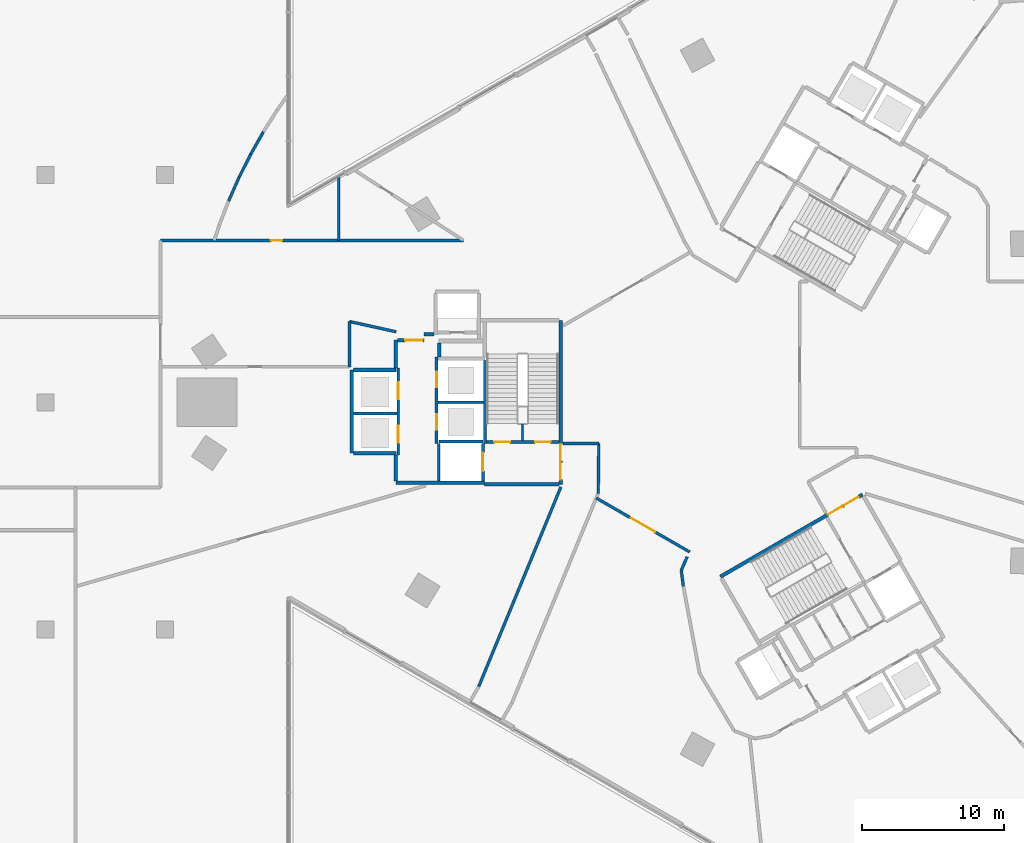
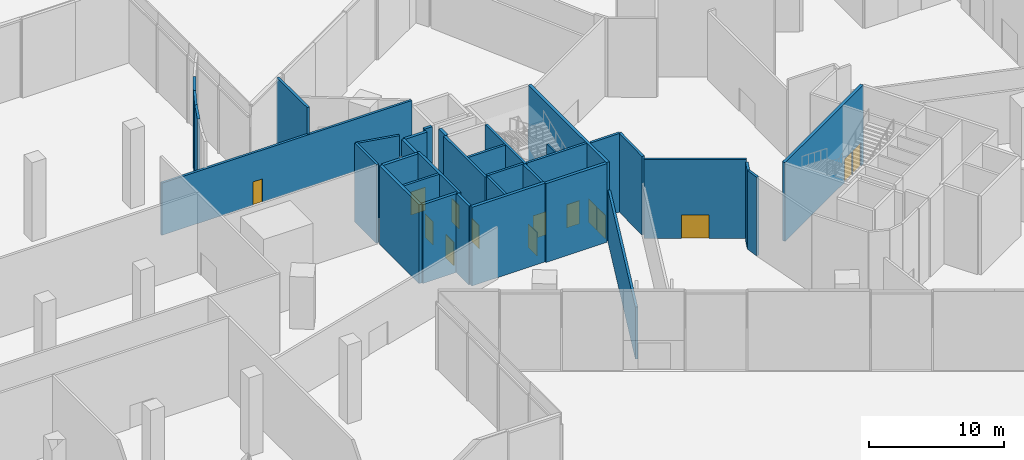
# One storey, part 18 of 41: 35 walls, 14 doors, 14 openings.
"""IFC4 building model written with IfcOpenShell, lengths in metres."""

import ifcopenshell
import ifcopenshell.guid

model = None  # the IFC model being written
_history = None  # IfcOwnerHistory: only IFC2X3 demands one
_inside = {}  # id of a spatial element -> (the spatial element, [elements in it])
_under = {}  # id of a project, library or spatial element -> (it, [spatial elements below it])
_declared = {}  # id of a project -> (the project, [libraries it declares])
_typed = {}  # id of a type object -> (the type object, [elements of that type])
_made_of = {}  # id of a material, layer set ... -> (it, [elements and type objects made of it])


def new_model(schema):
    """Start an empty IFC model of exactly this schema.

    Asked for "IFC4X3", IfcOpenShell would pick the latest addendum, in which some entities
    have other attributes; the version numbers below select the first issue.
    IFC2X3 requires an IfcOwnerHistory on every rooted entity: one is made here for all.
    """
    global model, _history
    if schema == "IFC4X3":
        model = ifcopenshell.file(schema_version=(4, 3, 0, 0))
    else:
        model = ifcopenshell.file(schema=schema)
    _inside.clear()
    _under.clear()
    _declared.clear()
    _typed.clear()
    _made_of.clear()
    _history = None
    if model.schema == "IFC2X3":
        org = make("IfcOrganization", Name="unknown")
        user = make(
            "IfcPersonAndOrganization",
            ThePerson=make("IfcPerson", FamilyName="unknown"),
            TheOrganization=org,
        )
        app = make(
            "IfcApplication",
            ApplicationDeveloper=org,
            Version="unknown",
            ApplicationFullName="unknown",
            ApplicationIdentifier="unknown",
        )
        _history = make(
            "IfcOwnerHistory",
            OwningUser=user,
            OwningApplication=app,
            ChangeAction="ADDED",
            CreationDate=0,
        )
    return model


def make(cls, **values):
    """One entity of the class cls with the attributes given. An attribute that is None is left unset."""
    return model.create_entity(
        cls, **{name: value for name, value in values.items() if value is not None}
    )


def rooted(cls, **values):
    """An entity with a GlobalId (a new one), such as an element, a storey or a relation."""
    return make(cls, GlobalId=ifcopenshell.guid.new(), OwnerHistory=_history, **values)


def si_unit(unit_type, name, prefix=None):
    """IfcSIUnit, for example si_unit("LENGTHUNIT", "METRE", prefix="MILLI")."""
    return make("IfcSIUnit", UnitType=unit_type, Prefix=prefix, Name=name)


def assignment(units):
    """IfcUnitAssignment: the units of a project."""
    return None if units is None else make("IfcUnitAssignment", Units=units)


def point(xyz):
    """IfcCartesianPoint."""
    return None if xyz is None else make("IfcCartesianPoint", Coordinates=xyz)


def direction(xyz):
    """IfcDirection."""
    return None if xyz is None else make("IfcDirection", DirectionRatios=xyz)


def frame(location, z_axis=None, x_axis=None):
    """IfcAxis2Placement3D, a coordinate frame: its origin and axes. An axis left out is left unset."""
    return make(
        "IfcAxis2Placement3D",
        Location=point(location),
        Axis=direction(z_axis),
        RefDirection=direction(x_axis),
    )


def frame_2d(location, x_axis=None):
    """IfcAxis2Placement2D, a coordinate frame in the plane: its origin and x axis."""
    return make(
        "IfcAxis2Placement2D", Location=point(location), RefDirection=direction(x_axis)
    )


def origin():
    """The frame at (0, 0, 0) with its axes left unset."""
    return frame((0.0, 0.0, 0.0))


def place(relative_to, where):
    """IfcLocalPlacement: puts the frame where relative to a parent placement (None: the world)."""
    return make(
        "IfcLocalPlacement", PlacementRelTo=relative_to, RelativePlacement=where
    )


def context(
    kind, dimensions, precision=None, world=None, true_north=None, identifier=None
):
    """IfcGeometricRepresentationContext, for example the 3D "Model" context."""
    return make(
        "IfcGeometricRepresentationContext",
        ContextIdentifier=identifier,
        ContextType=kind,
        CoordinateSpaceDimension=dimensions,
        Precision=precision,
        WorldCoordinateSystem=world,
        TrueNorth=true_north,
    )


def subcontext(parent, identifier, kind, view, scale=None):
    """IfcGeometricRepresentationSubContext, for example "Body" below "Model"."""
    return make(
        "IfcGeometricRepresentationSubContext",
        ContextIdentifier=identifier,
        ContextType=kind,
        ParentContext=parent,
        TargetScale=scale,
        TargetView=view,
    )


def project(units=None, contexts=None):
    """IfcProject with its units and contexts."""
    return rooted(
        "IfcProject",
        Name="project",
        RepresentationContexts=contexts,
        UnitsInContext=assignment(units),
    )


def spatial(cls, under=None, at=None, **own):
    """A site, building, storey or space (cls), placed at a placement, below another one or the project."""
    s = rooted(cls, ObjectPlacement=at, **own)
    if under is not None:
        _under.setdefault(under.id(), (under, []))[1].append(s)
    return s


def profile(cls, at=None, kind="AREA", **sizes):
    """A parametric profile (cls). Its sizes go by their IFC names, for example OverallWidth=200.0."""
    return make(cls, ProfileType=kind, Position=at, **sizes)


def rectangle(**sizes):
    """IfcRectangleProfileDef."""
    return profile("IfcRectangleProfileDef", **sizes)


def extrude(swept, where, along, depth):
    """IfcExtrudedAreaSolid: the profile swept, set in the frame where, extruded along a direction by depth."""
    return make(
        "IfcExtrudedAreaSolid",
        SweptArea=swept,
        Position=where,
        ExtrudedDirection=direction(along),
        Depth=depth,
    )


def shape(context_of_items, identifier, shape_type, items):
    """IfcShapeRepresentation: the items that make up one representation, for example the "Body"."""
    return make(
        "IfcShapeRepresentation",
        ContextOfItems=context_of_items,
        RepresentationIdentifier=identifier,
        RepresentationType=shape_type,
        Items=items,
    )


def material(Name=None, Category=None):
    """IfcMaterial."""
    return make("IfcMaterial", Name=Name, Category=Category)


def layer(
    of_material, thickness, ventilated=None, Name=None, Category=None, Priority=None
):
    """IfcMaterialLayer: one layer of a wall or slab, of a material (None: an air gap)."""
    return make(
        "IfcMaterialLayer",
        Material=of_material,
        LayerThickness=thickness,
        IsVentilated=ventilated,
        Name=Name,
        Category=Category,
        Priority=Priority,
    )


def layer_set(layers, Name=None):
    """IfcMaterialLayerSet."""
    return make("IfcMaterialLayerSet", MaterialLayers=layers, LayerSetName=Name)


def made_of(thing, what):
    """Note that an element or type object is made of a material, layer set ...; save() writes the relation."""
    if what is not None:
        _made_of.setdefault(what.id(), (what, []))[1].append(thing)
    return thing


def type_object(cls, material=None, **own):
    """A type object (cls), such as IfcWallType, which elements share."""
    return made_of(rooted(cls, **own), material)


def element(
    cls,
    number,
    at=None,
    inside=None,
    cuts=None,
    type_object=None,
    material=None,
    context=None,
    identifier="Body",
    shape_type=None,
    held_by="IfcProductDefinitionShape",
    body=None,
    shapes=None,
    **own,
):
    """One element of the class cls, such as IfcWall. Its Tag is "e" and its number.

    at: its placement. inside: the storey or other place that contains it. cuts: it is an
    opening in that element (IfcRelVoidsElement). A single representation is given by context,
    identifier, shape_type and body (its items); several are given by shapes. held_by: the class
    of the entity that holds the representations. save() writes the other relations.
    """
    e = rooted(cls, Tag="e%d" % number, ObjectPlacement=at, **own)
    if body is not None:
        shapes = [shape(context, identifier, shape_type, body)]
    if shapes is not None:
        e.Representation = make(held_by, Representations=shapes)
    if inside is not None:
        _inside.setdefault(inside.id(), (inside, []))[1].append(e)
    if cuts is not None:
        rooted(
            "IfcRelVoidsElement", RelatingBuildingElement=cuts, RelatedOpeningElement=e
        )
    if type_object is not None:
        _typed.setdefault(type_object.id(), (type_object, []))[1].append(e)
    return made_of(e, material)


def fill(opening, filler):
    """IfcRelFillsElement: the door or window that sits in an opening."""
    return rooted(
        "IfcRelFillsElement",
        RelatingOpeningElement=opening,
        RelatedBuildingElement=filler,
    )


def aggregate(whole, parts):
    """IfcRelAggregates: a whole, such as a stair, and the parts it consists of."""
    return rooted("IfcRelAggregates", RelatingObject=whole, RelatedObjects=parts)


def save(model, path):
    """Write the relations noted so far, then the file.

    IfcRelAggregates (storeys below a building ...), IfcRelContainedInSpatialStructure (elements
    in a storey), IfcRelDefinesByType, IfcRelAssociatesMaterial and IfcRelDeclares: one each for
    every whole, place, type object, material and project.
    """
    for whole, parts in _under.values():
        aggregate(whole, parts)
    for where, things in _inside.values():
        rooted(
            "IfcRelContainedInSpatialStructure",
            RelatedElements=things,
            RelatingStructure=where,
        )
    for kind, things in _typed.values():
        rooted("IfcRelDefinesByType", RelatedObjects=things, RelatingType=kind)
    for what, things in _made_of.values():
        rooted("IfcRelAssociatesMaterial", RelatedObjects=things, RelatingMaterial=what)
    for by, libraries in _declared.values():
        rooted("IfcRelDeclares", RelatingContext=by, RelatedDefinitions=libraries)
    model.write(path)


model = new_model("IFC4")

# Units and contexts
model_context = context("Model", 3, precision=1e-05, world=origin(), true_north=direction((0.0, 1.0)))
body_context = subcontext(model_context, "Body", "Model", "MODEL_VIEW")
ifc_project = project(units=[si_unit("LENGTHUNIT", "METRE"), si_unit("AREAUNIT", "SQUARE_METRE"), si_unit("VOLUMEUNIT", "CUBIC_METRE"), si_unit("PLANEANGLEUNIT", "RADIAN"), si_unit("MASSUNIT", "GRAM", prefix="KILO")], contexts=[model_context])

# Site, building, storey
site_placement = place(None, origin())
site = spatial("IfcSite", under=ifc_project, at=site_placement, CompositionType="ELEMENT")
building_placement = place(site_placement, origin())
building = spatial("IfcBuilding", under=site, at=building_placement, Name="Tamra Quay Hotel Tower", CompositionType="ELEMENT")
storey_placement = place(building_placement, origin())
storey = spatial("IfcBuildingStorey", under=building, at=storey_placement, Name="L00", CompositionType="ELEMENT", Elevation=0.0)

# Wall
ifc_material_1 = material(Name="Concrete M70", Category="concrete")
ifc_layer_1 = layer(ifc_material_1, 0.199951171875)
ifc_layer_set_1 = layer_set([ifc_layer_1], Name="Concrete M70 core wall 200")
wall_type_1 = type_object("IfcWallType", Name="Concrete M70 core wall 200", PredefinedType="SHEAR", material=ifc_layer_set_1)
wall_1_placement = place(storey_placement, frame((-16.162109375, 2.95068359375, 0.0), z_axis=(0.0, 0.0, 1.0), x_axis=(0.0, -1.0, 0.0)))
element("IfcWall", 1, at=wall_1_placement, inside=storey, type_object=wall_type_1, Name="CW2", PredefinedType="SHEAR", context=body_context, shape_type="SweptSolid", body=[
    extrude(rectangle(XDim=5.850830078125, YDim=0.199951171875, at=frame_2d((2.92529296875, 0.0))), origin(), (0.0, 0.0, 1.0), 7.10009765625),
])

# Wall, openings, doors
wall_2_placement = place(storey_placement, frame((-19.5625, -2.900146484375, 0.0), z_axis=(0.0, 0.0, 1.0), x_axis=(0.0, 1.0, 0.0)))
wall_2 = element("IfcWall", 2, at=wall_2_placement, inside=storey, type_object=wall_type_1, Name="CW2", PredefinedType="SHEAR", context=body_context, shape_type="SweptSolid", body=[
    extrude(rectangle(XDim=6.100341796875, YDim=0.199951171875, at=frame_2d((3.05029296875, 0.0))), origin(), (0.0, 0.0, 1.0), 7.10009765625),
])
opening_1_placement = place(wall_2_placement, frame((3.9501953125, 0.0, 0.0)))
opening_1 = element("IfcOpeningElement", 3, at=opening_1_placement, cuts=wall_2, Name="Opening LD", PredefinedType="OPENING", context=body_context, shape_type="SweptSolid", body=[
    extrude(rectangle(XDim=1.10009765625, YDim=2.10009765625, at=frame_2d((0.550048828125, 1.050048828125))), frame((0.0, 0.10986328125, 0.0), z_axis=(0.0, -1.0, 0.0), x_axis=(1.0, 0.0, 0.0)), (0.0, 0.0, 1.0), 0.219970703125),
])
opening_2_placement = place(wall_2_placement, frame((0.968017578125, 0.0, 0.0)))
opening_2 = element("IfcOpeningElement", 4, at=opening_2_placement, cuts=wall_2, Name="Opening LD", PredefinedType="OPENING", context=body_context, shape_type="SweptSolid", body=[
    extrude(rectangle(XDim=1.10009765625, YDim=2.10009765625, at=frame_2d((0.550048828125, 1.050048828125))), frame((0.0, 0.10986328125, 0.0), z_axis=(0.0, -1.0, 0.0), x_axis=(1.0, 0.0, 0.0)), (0.0, 0.0, 1.0), 0.219970703125),
])
ifc_material_2 = material(Name="Landing door LD 1100 double door sliding")
door_type_1 = type_object("IfcDoorType", Name="Landing door LD 1100 double door sliding", OperationType="DOUBLE_DOOR_SLIDING", PredefinedType="DOOR", material=ifc_material_2)
door_1_placement = place(opening_1_placement, origin())
door_1 = element("IfcDoor", 5, at=door_1_placement, inside=storey, type_object=door_type_1, Name="LD", OperationType="DOUBLE_DOOR_SLIDING", OverallHeight=2.10009765625, OverallWidth=1.10009765625, PredefinedType="DOOR", context=body_context, shape_type="SweptSolid", body=[
    extrude(rectangle(XDim=1.10009765625, YDim=2.10009765625, at=frame_2d((0.550048828125, 1.050048828125))), frame((0.0, 0.02490234375, 0.0), z_axis=(0.0, -1.0, 0.0), x_axis=(1.0, 0.0, 0.0)), (0.0, 0.0, 1.0), 0.050048828125),
])
fill(opening_1, door_1)
door_2_placement = place(opening_2_placement, origin())
door_2 = element("IfcDoor", 6, at=door_2_placement, inside=storey, type_object=door_type_1, Name="LD", OperationType="DOUBLE_DOOR_SLIDING", OverallHeight=2.10009765625, OverallWidth=1.10009765625, PredefinedType="DOOR", context=body_context, shape_type="SweptSolid", body=[
    extrude(rectangle(XDim=1.10009765625, YDim=2.10009765625, at=frame_2d((0.550048828125, 1.050048828125))), frame((0.0, 0.02490234375, 0.0), z_axis=(0.0, -1.0, 0.0), x_axis=(1.0, 0.0, 0.0)), (0.0, 0.0, 1.0), 0.050048828125),
])
fill(opening_2, door_2)

wall_3_placement = place(storey_placement, frame((-22.26220703125, 2.400146484375, 0.0), z_axis=(0.0, 0.0, 1.0), x_axis=(0.0, -1.0, 0.0)))
wall_3 = element("IfcWall", 7, at=wall_3_placement, inside=storey, type_object=wall_type_1, Name="CW2", PredefinedType="SHEAR", context=body_context, shape_type="SweptSolid", body=[
    extrude(rectangle(XDim=6.100341796875, YDim=0.199951171875, at=frame_2d((3.05029296875, 0.0))), origin(), (0.0, 0.0, 1.0), 7.10009765625),
])
opening_3_placement = place(wall_3_placement, frame((1.0, 0.0, 0.0)))
opening_3 = element("IfcOpeningElement", 8, at=opening_3_placement, cuts=wall_3, Name="Opening LD", PredefinedType="OPENING", context=body_context, shape_type="SweptSolid", body=[
    extrude(rectangle(XDim=1.199951171875, YDim=2.10009765625, at=frame_2d((0.60009765625, 1.050048828125))), frame((0.0, 0.10986328125, 0.0), z_axis=(0.0, -1.0, 0.0), x_axis=(1.0, 0.0, 0.0)), (0.0, 0.0, 1.0), 0.219970703125),
])
opening_4_placement = place(wall_3_placement, frame((4.05029296875, 0.0, 0.0)))
opening_4 = element("IfcOpeningElement", 9, at=opening_4_placement, cuts=wall_3, Name="Opening LD", PredefinedType="OPENING", context=body_context, shape_type="SweptSolid", body=[
    extrude(rectangle(XDim=1.199951171875, YDim=2.10009765625, at=frame_2d((0.60009765625, 1.050048828125))), frame((0.0, 0.10986328125, 0.0), z_axis=(0.0, -1.0, 0.0), x_axis=(1.0, 0.0, 0.0)), (0.0, 0.0, 1.0), 0.219970703125),
])
ifc_material_3 = material(Name="Landing door LD 1200 double door sliding")
door_type_2 = type_object("IfcDoorType", Name="Landing door LD 1200 double door sliding", OperationType="DOUBLE_DOOR_SLIDING", PredefinedType="DOOR", material=ifc_material_3)
door_3_placement = place(opening_3_placement, origin())
door_3 = element("IfcDoor", 10, at=door_3_placement, inside=storey, type_object=door_type_2, Name="LD", OperationType="DOUBLE_DOOR_SLIDING", OverallHeight=2.10009765625, OverallWidth=1.199951171875, PredefinedType="DOOR", context=body_context, shape_type="SweptSolid", body=[
    extrude(rectangle(XDim=1.199951171875, YDim=2.10009765625, at=frame_2d((0.60009765625, 1.050048828125))), frame((0.0, 0.02490234375, 0.0), z_axis=(0.0, -1.0, 0.0), x_axis=(1.0, 0.0, 0.0)), (0.0, 0.0, 1.0), 0.050048828125),
])
fill(opening_3, door_3)
door_4_placement = place(opening_4_placement, origin())
door_4 = element("IfcDoor", 11, at=door_4_placement, inside=storey, type_object=door_type_2, Name="LD", OperationType="DOUBLE_DOOR_SLIDING", OverallHeight=2.10009765625, OverallWidth=1.199951171875, PredefinedType="DOOR", context=body_context, shape_type="SweptSolid", body=[
    extrude(rectangle(XDim=1.199951171875, YDim=2.10009765625, at=frame_2d((0.60009765625, 1.050048828125))), frame((0.0, 0.02490234375, 0.0), z_axis=(0.0, -1.0, 0.0), x_axis=(1.0, 0.0, 0.0)), (0.0, 0.0, 1.0), 0.050048828125),
])
fill(opening_4, door_4)

wall_4_placement = place(storey_placement, frame((-10.96337890625, -2.800048828125, 0.0), z_axis=(0.0, 0.0, 1.0), x_axis=(-1.0, 0.0, 0.0)))
wall_4 = element("IfcWall", 12, at=wall_4_placement, inside=storey, type_object=wall_type_1, Name="CW2", PredefinedType="SHEAR", context=body_context, shape_type="SweptSolid", body=[
    extrude(rectangle(XDim=5.097900390625, YDim=0.199951171875, at=frame_2d((2.548828125, 0.0))), origin(), (0.0, 0.0, 1.0), 7.10009765625),
])
opening_5_placement = place(wall_4_placement, frame((0.569091796875, 0.0, 0.0)))
opening_5 = element("IfcOpeningElement", 13, at=opening_5_placement, cuts=wall_4, Name="Opening FD2", PredefinedType="OPENING", context=body_context, shape_type="SweptSolid", body=[
    extrude(rectangle(XDim=1.10009765625, YDim=2.10009765625, at=frame_2d((0.550048828125, 1.050048828125))), frame((0.0, 0.10986328125, 0.0), z_axis=(0.0, -1.0, 0.0), x_axis=(1.0, 0.0, 0.0)), (0.0, 0.0, 1.0), 0.219970703125),
])
opening_6_placement = place(wall_4_placement, frame((3.427978515625, 0.0, 0.0)))
opening_6 = element("IfcOpeningElement", 14, at=opening_6_placement, cuts=wall_4, Name="Opening FD2", PredefinedType="OPENING", context=body_context, shape_type="SweptSolid", body=[
    extrude(rectangle(XDim=1.10009765625, YDim=2.10009765625, at=frame_2d((0.550048828125, 1.050048828125))), frame((0.0, 0.10986328125, 0.0), z_axis=(0.0, -1.0, 0.0), x_axis=(1.0, 0.0, 0.0)), (0.0, 0.0, 1.0), 0.219970703125),
])
ifc_material_4 = material(Name="Core door FD2 1100x2100 LH")
door_type_3 = type_object("IfcDoorType", Name="Core door FD2 1100x2100 LH", OperationType="NOTDEFINED", PredefinedType="DOOR", material=ifc_material_4)
door_5_placement = place(opening_5_placement, origin())
door_5 = element("IfcDoor", 15, at=door_5_placement, inside=storey, type_object=door_type_3, Name="FD2", OperationType="SINGLE_SWING_LEFT", OverallHeight=2.10009765625, OverallWidth=1.10009765625, PredefinedType="DOOR", context=body_context, shape_type="SweptSolid", body=[
    extrude(rectangle(XDim=1.10009765625, YDim=2.10009765625, at=frame_2d((0.550048828125, 1.050048828125))), frame((0.0, 0.02490234375, 0.0), z_axis=(0.0, -1.0, 0.0), x_axis=(1.0, 0.0, 0.0)), (0.0, 0.0, 1.0), 0.050048828125),
])
fill(opening_5, door_5)
ifc_material_5 = material(Name="Core door FD2 1100x2100 RH")
door_type_4 = type_object("IfcDoorType", Name="Core door FD2 1100x2100 RH", OperationType="NOTDEFINED", PredefinedType="DOOR", material=ifc_material_5)
door_6_placement = place(opening_6_placement, origin())
door_6 = element("IfcDoor", 16, at=door_6_placement, inside=storey, type_object=door_type_4, Name="FD2", OperationType="SINGLE_SWING_RIGHT", OverallHeight=2.10009765625, OverallWidth=1.10009765625, PredefinedType="DOOR", context=body_context, shape_type="SweptSolid", body=[
    extrude(rectangle(XDim=1.10009765625, YDim=2.10009765625, at=frame_2d((0.550048828125, 1.050048828125))), frame((0.0, 0.02490234375, 0.0), z_axis=(0.0, -1.0, 0.0), x_axis=(1.0, 0.0, 0.0)), (0.0, 0.0, 1.0), 0.050048828125),
])
fill(opening_6, door_6)

# Walls
wall_5_placement = place(storey_placement, frame((-16.26318359375, 0.0, 0.0), z_axis=(0.0, 0.0, 1.0), x_axis=(-1.0, 0.0, 0.0)))
element("IfcWall", 17, at=wall_5_placement, inside=storey, type_object=wall_type_1, Name="CW2", PredefinedType="SHEAR", context=body_context, shape_type="SweptSolid", body=[
    extrude(rectangle(XDim=3.1982421875, YDim=0.199951171875, at=frame_2d((1.59912109375, 0.0))), origin(), (0.0, 0.0, 1.0), 7.10009765625),
])
wall_6_placement = place(storey_placement, frame((-22.36328125, -0.800048828125, 0.0), z_axis=(0.0, 0.0, 1.0), x_axis=(-1.0, 0.0, 0.0)))
element("IfcWall", 18, at=wall_6_placement, inside=storey, type_object=wall_type_1, Name="CW2", PredefinedType="SHEAR", context=body_context, shape_type="SweptSolid", body=[
    extrude(rectangle(XDim=3.048095703125, YDim=0.199951171875, at=frame_2d((1.52392578125, 0.0))), origin(), (0.0, 0.0, 1.0), 7.10009765625),
])
wall_7_placement = place(storey_placement, frame((-19.412353515625, -2.75, 0.0), z_axis=(0.0, 0.0, 1.0), x_axis=(1.0, 0.0, 0.0)))
element("IfcWall", 19, at=wall_7_placement, inside=storey, type_object=wall_type_1, Name="CW2", PredefinedType="SHEAR", context=body_context, shape_type="SweptSolid", body=[
    extrude(rectangle(XDim=3.10009765625, YDim=0.199951171875, at=frame_2d((1.550048828125, 0.0))), origin(), (0.0, 0.0, 1.0), 7.10009765625),
])

# Wall, opening, door
wall_8_placement = place(storey_placement, frame((-16.312255859375, -2.898193359375, 0.0), z_axis=(0.0, 0.0, 1.0), x_axis=(0.0, -1.0, 0.0)))
wall_8 = element("IfcWall", 20, at=wall_8_placement, inside=storey, type_object=wall_type_1, Name="CW2", PredefinedType="SHEAR", context=body_context, shape_type="SweptSolid", body=[
    extrude(rectangle(XDim=2.65087890625, YDim=0.199951171875, at=frame_2d((1.325439453125, 0.0))), origin(), (0.0, 0.0, 1.0), 7.10009765625),
])
opening_7_placement = place(wall_8_placement, frame((0.65185546875, 0.0, 0.0)))
opening_7 = element("IfcOpeningElement", 21, at=opening_7_placement, cuts=wall_8, Name="Opening LD", PredefinedType="OPENING", context=body_context, shape_type="SweptSolid", body=[
    extrude(rectangle(XDim=1.300048828125, YDim=2.10009765625, at=frame_2d((0.64990234375, 1.050048828125))), frame((0.0, 0.10986328125, 0.0), z_axis=(0.0, -1.0, 0.0), x_axis=(1.0, 0.0, 0.0)), (0.0, 0.0, 1.0), 0.219970703125),
])
ifc_material_6 = material(Name="Landing door LD 1300 sliding to left")
door_type_5 = type_object("IfcDoorType", Name="Landing door LD 1300 sliding to left", OperationType="NOTDEFINED", PredefinedType="DOOR", material=ifc_material_6)
door_7_placement = place(opening_7_placement, origin())
door_7 = element("IfcDoor", 22, at=door_7_placement, inside=storey, type_object=door_type_5, Name="LD", OperationType="SLIDING_TO_LEFT", OverallHeight=2.10009765625, OverallWidth=1.300048828125, PredefinedType="DOOR", context=body_context, shape_type="SweptSolid", body=[
    extrude(rectangle(XDim=1.300048828125, YDim=2.10009765625, at=frame_2d((0.64990234375, 1.050048828125))), frame((0.0, 0.02490234375, 0.0), z_axis=(0.0, -1.0, 0.0), x_axis=(1.0, 0.0, 0.0)), (0.0, 0.0, 1.0), 0.050048828125),
])
fill(opening_7, door_7)

# Wall
wall_9_placement = place(storey_placement, frame((-19.412353515625, -5.549072265625, 0.0), z_axis=(0.0, 0.0, 1.0), x_axis=(0.0, 1.0, 0.0)))
element("IfcWall", 23, at=wall_9_placement, inside=storey, type_object=wall_type_1, Name="CW2", PredefinedType="SHEAR", context=body_context, shape_type="SweptSolid", body=[
    extrude(rectangle(XDim=2.65087890625, YDim=0.199951171875, at=frame_2d((1.325439453125, 0.0))), origin(), (0.0, 0.0, 1.0), 7.10009765625),
])

# Wall, openings, doors
ifc_layer_2 = layer(ifc_material_1, 0.25)
ifc_layer_set_2 = layer_set([ifc_layer_2], Name="Concrete M70 core wall 250")
wall_type_2 = type_object("IfcWallType", Name="Concrete M70 core wall 250", PredefinedType="SHEAR", material=ifc_layer_set_2)
wall_10_placement = place(storey_placement, frame((-10.83740234375, 5.77490234375, 0.0), z_axis=(0.0, 0.0, 1.0), x_axis=(0.0, -1.0, 0.0)))
wall_10 = element("IfcWall", 24, at=wall_10_placement, inside=storey, type_object=wall_type_2, Name="CW1", PredefinedType="SHEAR", context=body_context, shape_type="SweptSolid", body=[
    extrude(rectangle(XDim=11.5498046875, YDim=0.25, at=frame_2d((5.77490234375, 0.0))), origin(), (0.0, 0.0, 1.0), 7.10009765625),
])
opening_8_placement = place(wall_10_placement, frame((10.02490234375, 0.0, 0.0)))
opening_8 = element("IfcOpeningElement", 25, at=opening_8_placement, cuts=wall_10, Name="Opening FD1", PredefinedType="OPENING", context=body_context, shape_type="SweptSolid", body=[
    extrude(rectangle(XDim=1.199951171875, YDim=2.10009765625, at=frame_2d((0.60009765625, 1.050048828125))), frame((0.0, 0.135009765625, 0.0), z_axis=(0.0, -1.0, 0.0), x_axis=(1.0, 0.0, 0.0)), (0.0, 0.0, 1.0), 0.27001953125),
])
opening_9_placement = place(wall_10_placement, frame((8.72509765625, 0.0, 0.0)))
opening_9 = element("IfcOpeningElement", 26, at=opening_9_placement, cuts=wall_10, Name="Opening FD1", PredefinedType="OPENING", context=body_context, shape_type="SweptSolid", body=[
    extrude(rectangle(XDim=1.199951171875, YDim=2.10009765625, at=frame_2d((0.60009765625, 1.050048828125))), frame((0.0, 0.135009765625, 0.0), z_axis=(0.0, -1.0, 0.0), x_axis=(1.0, 0.0, 0.0)), (0.0, 0.0, 1.0), 0.27001953125),
])
ifc_material_7 = material(Name="Core door FD1 1200x2100 LH")
door_type_6 = type_object("IfcDoorType", Name="Core door FD1 1200x2100 LH", OperationType="NOTDEFINED", PredefinedType="DOOR", material=ifc_material_7)
door_8_placement = place(opening_8_placement, origin())
door_8 = element("IfcDoor", 27, at=door_8_placement, inside=storey, type_object=door_type_6, Name="FD1", OperationType="SINGLE_SWING_LEFT", OverallHeight=2.10009765625, OverallWidth=1.199951171875, PredefinedType="DOOR", context=body_context, shape_type="SweptSolid", body=[
    extrude(rectangle(XDim=1.199951171875, YDim=2.10009765625, at=frame_2d((0.60009765625, 1.050048828125))), frame((0.0, 0.02490234375, 0.0), z_axis=(0.0, -1.0, 0.0), x_axis=(1.0, 0.0, 0.0)), (0.0, 0.0, 1.0), 0.050048828125),
])
fill(opening_8, door_8)
ifc_material_8 = material(Name="Core door FD1 1200x2100 RH")
door_type_7 = type_object("IfcDoorType", Name="Core door FD1 1200x2100 RH", OperationType="NOTDEFINED", PredefinedType="DOOR", material=ifc_material_8)
door_9_placement = place(opening_9_placement, origin())
door_9 = element("IfcDoor", 28, at=door_9_placement, inside=storey, type_object=door_type_7, Name="FD1", OperationType="SINGLE_SWING_RIGHT", OverallHeight=2.10009765625, OverallWidth=1.199951171875, PredefinedType="DOOR", context=body_context, shape_type="SweptSolid", body=[
    extrude(rectangle(XDim=1.199951171875, YDim=2.10009765625, at=frame_2d((0.60009765625, 1.050048828125))), frame((0.0, 0.02490234375, 0.0), z_axis=(0.0, -1.0, 0.0), x_axis=(1.0, 0.0, 0.0)), (0.0, 0.0, 1.0), 0.050048828125),
])
fill(opening_9, door_9)

# Walls
wall_11_placement = place(storey_placement, frame((-16.187255859375, -5.675048828125, 0.0), z_axis=(0.0, 0.0, 1.0), x_axis=(-1.0, 0.0, 0.0)))
element("IfcWall", 29, at=wall_11_placement, inside=storey, type_object=wall_type_2, Name="CW1", PredefinedType="SHEAR", context=body_context, shape_type="SweptSolid", body=[
    extrude(rectangle(XDim=6.25, YDim=0.25, at=frame_2d((3.125, 0.0))), origin(), (0.0, 0.0, 1.0), 7.10009765625),
])
wall_12_placement = place(storey_placement, frame((-25.537353515625, -3.574951171875, 0.0), z_axis=(0.0, 0.0, 1.0), x_axis=(0.0, 1.0, 0.0)))
element("IfcWall", 30, at=wall_12_placement, inside=storey, type_object=wall_type_2, Name="CW1", PredefinedType="SHEAR", context=body_context, shape_type="SweptSolid", body=[
    extrude(rectangle(XDim=5.849853515625, YDim=0.25, at=frame_2d((2.9248046875, 0.0))), origin(), (0.0, 0.0, 1.0), 7.10009765625),
])
wall_13_placement = place(storey_placement, frame((-10.962646484375, -5.77490234375, 0.0), z_axis=(0.0, 0.0, 1.0), x_axis=(-1.0, 0.0, 0.0)))
element("IfcWall", 31, at=wall_13_placement, inside=storey, type_object=wall_type_2, Name="CW1", PredefinedType="SHEAR", context=body_context, shape_type="SweptSolid", body=[
    extrude(rectangle(XDim=5.224609375, YDim=0.25, at=frame_2d((2.6123046875, 0.0))), origin(), (0.0, 0.0, 1.0), 7.10009765625),
])
for number, where, z_axis, x_axis, name in (
    (32, (-22.437255859375, -3.574951171875, 0.0), (0.0, 0.0, 1.0), (-1.0, 0.0, 0.0), "CW1"),
    (33, (-25.411865234375, 2.27490234375, 0.0), (0.0, 0.0, 1.0), (1.0, 0.0, 0.0), "CW1"),
):
    element("IfcWall", number, at=place(storey_placement, frame(where, z_axis=z_axis, x_axis=x_axis)), inside=storey, type_object=wall_type_2, Name=name, PredefinedType="SHEAR", context=body_context, shape_type="SweptSolid", body=[
        extrude(rectangle(XDim=2.974609375, YDim=0.25, at=frame_2d((1.4873046875, 0.0))), origin(), (0.0, 0.0, 1.0), 7.10009765625),
    ])
wall_14_placement = place(storey_placement, frame((-22.437255859375, 2.400390625, 0.0), z_axis=(0.0, 0.0, 1.0), x_axis=(0.0, 1.0, 0.0)))
element("IfcWall", 34, at=wall_14_placement, inside=storey, type_object=wall_type_2, Name="CW1", PredefinedType="SHEAR", context=body_context, shape_type="SweptSolid", body=[
    extrude(rectangle(XDim=1.974609375, YDim=0.25, at=frame_2d((0.9873046875, 0.0))), origin(), (0.0, 0.0, 1.0), 7.10009765625),
])
wall_15_placement = place(storey_placement, frame((-22.437255859375, -5.549560546875, 0.0), z_axis=(0.0, 0.0, 1.0), x_axis=(0.0, 1.0, 0.0)))
element("IfcWall", 35, at=wall_15_placement, inside=storey, type_object=wall_type_2, Name="CW1", PredefinedType="SHEAR", context=body_context, shape_type="SweptSolid", body=[
    extrude(rectangle(XDim=1.84912109375, YDim=0.25, at=frame_2d((0.924560546875, 0.0))), origin(), (0.0, 0.0, 1.0), 7.10009765625),
])

# Wall, opening, door
wall_16_placement = place(storey_placement, frame((-22.311767578125, 4.375, 0.0), z_axis=(0.0, 0.0, 1.0), x_axis=(1.0, 0.0, 0.0)))
wall_16 = element("IfcWall", 36, at=wall_16_placement, inside=storey, type_object=wall_type_2, Name="CW1", PredefinedType="SHEAR", context=body_context, shape_type="SweptSolid", body=[
    extrude(rectangle(XDim=1.864501953125, YDim=0.25, at=frame_2d((0.93212890625, 0.0))), origin(), (0.0, 0.0, 1.0), 7.10009765625),
])
opening_10_placement = place(wall_16_placement, frame((0.53466796875, 0.0, 0.0)))
opening_10 = element("IfcOpeningElement", 37, at=opening_10_placement, cuts=wall_16, Name="Opening FD3", PredefinedType="OPENING", context=body_context, shape_type="SweptSolid", body=[
    extrude(rectangle(XDim=1.25, YDim=2.10009765625, at=frame_2d((0.625, 1.050048828125))), frame((0.0, 0.135009765625, 0.0), z_axis=(0.0, -1.0, 0.0), x_axis=(1.0, 0.0, 0.0)), (0.0, 0.0, 1.0), 0.27001953125),
])
ifc_material_9 = material(Name="Core door FD3 1250x2100 LH")
door_type_8 = type_object("IfcDoorType", Name="Core door FD3 1250x2100 LH", OperationType="NOTDEFINED", PredefinedType="DOOR", material=ifc_material_9)
door_10_placement = place(opening_10_placement, origin())
door_10 = element("IfcDoor", 38, at=door_10_placement, inside=storey, type_object=door_type_8, Name="FD3", OperationType="SINGLE_SWING_LEFT", OverallHeight=2.10009765625, OverallWidth=1.25, PredefinedType="DOOR", context=body_context, shape_type="SweptSolid", body=[
    extrude(rectangle(XDim=1.25, YDim=2.10009765625, at=frame_2d((0.625, 1.050048828125))), frame((0.0, 0.02490234375, 0.0), z_axis=(0.0, -1.0, 0.0), x_axis=(1.0, 0.0, 0.0)), (0.0, 0.0, 1.0), 0.050048828125),
])
fill(opening_10, door_10)

# Walls
wall_17_placement = place(storey_placement, frame((-19.38720703125, 4.189697265625, 0.0), z_axis=(0.0, 0.0, 1.0), x_axis=(0.0, -1.0, 0.0)))
element("IfcWall", 39, at=wall_17_placement, inside=storey, type_object=wall_type_2, Name="CW1", PredefinedType="SHEAR", context=body_context, shape_type="SweptSolid", body=[
    extrude(rectangle(XDim=0.9892578125, YDim=0.25, at=frame_2d((0.49462890625, 0.0))), origin(), (0.0, 0.0, 1.0), 7.10009765625),
])
wall_18_placement = place(storey_placement, frame((-20.447265625, 4.784912109375, 0.0), z_axis=(0.0, 0.0, 1.0), x_axis=(1.0, 0.0, 0.0)))
element("IfcWall", 40, at=wall_18_placement, inside=storey, type_object=wall_type_2, Name="CW1", PredefinedType="SHEAR", context=body_context, shape_type="SweptSolid", body=[
    extrude(rectangle(XDim=0.6845703125, YDim=0.25, at=frame_2d((0.34228515625, 0.0))), origin(), (0.0, 0.0, 1.0), 7.10009765625),
])

# Wall, openings, doors
wall_19_placement = place(storey_placement, frame((0.417236328125, -12.27294921875, 0.0), z_axis=(0.0, 0.0, 1.0), x_axis=(0.866021906294, 0.500006057782, 0.0)))
wall_19 = element("IfcWall", 41, at=wall_19_placement, inside=storey, type_object=wall_type_2, Name="CW1", PredefinedType="SHEAR", context=body_context, shape_type="SweptSolid", body=[
    extrude(rectangle(XDim=11.550048828125, YDim=0.25, at=frame_2d((5.77490234375, 0.0))), origin(), (0.0, 0.0, 1.0), 7.10009765625),
])
opening_11_placement = place(wall_19_placement, frame((10.024658203125, 0.0, 0.0)))
opening_11 = element("IfcOpeningElement", 42, at=opening_11_placement, cuts=wall_19, Name="Opening FD1", PredefinedType="OPENING", context=body_context, shape_type="SweptSolid", body=[
    extrude(rectangle(XDim=1.199951171875, YDim=2.10009765625, at=frame_2d((0.60009765625, 1.050048828125))), frame((0.0, 0.135009765625, 0.0), z_axis=(0.0, -1.0, 0.0), x_axis=(1.0, 0.0, 0.0)), (0.0, 0.0, 1.0), 0.27001953125),
])
opening_12_placement = place(wall_19_placement, frame((8.724609375, 0.0, 0.0)))
opening_12 = element("IfcOpeningElement", 43, at=opening_12_placement, cuts=wall_19, Name="Opening FD1", PredefinedType="OPENING", context=body_context, shape_type="SweptSolid", body=[
    extrude(rectangle(XDim=1.199951171875, YDim=2.10009765625, at=frame_2d((0.60009765625, 1.050048828125))), frame((0.0, 0.135009765625, 0.0), z_axis=(0.0, -1.0, 0.0), x_axis=(1.0, 0.0, 0.0)), (0.0, 0.0, 1.0), 0.27001953125),
])
door_11_placement = place(opening_11_placement, origin())
door_11 = element("IfcDoor", 44, at=door_11_placement, inside=storey, type_object=door_type_6, Name="FD1", OperationType="SINGLE_SWING_LEFT", OverallHeight=2.10009765625, OverallWidth=1.199951171875, PredefinedType="DOOR", context=body_context, shape_type="SweptSolid", body=[
    extrude(rectangle(XDim=1.199951171875, YDim=2.10009765625, at=frame_2d((0.60009765625, 1.050048828125))), frame((0.0, 0.02490234375, 0.0), z_axis=(0.0, -1.0, 0.0), x_axis=(1.0, 0.0, 0.0)), (0.0, 0.0, 1.0), 0.050048828125),
])
fill(opening_11, door_11)
door_12_placement = place(opening_12_placement, origin())
door_12 = element("IfcDoor", 45, at=door_12_placement, inside=storey, type_object=door_type_7, Name="FD1", OperationType="SINGLE_SWING_RIGHT", OverallHeight=2.10009765625, OverallWidth=1.199951171875, PredefinedType="DOOR", context=body_context, shape_type="SweptSolid", body=[
    extrude(rectangle(XDim=1.199951171875, YDim=2.10009765625, at=frame_2d((0.60009765625, 1.050048828125))), frame((0.0, 0.02490234375, 0.0), z_axis=(0.0, -1.0, 0.0), x_axis=(1.0, 0.0, 0.0)), (0.0, 0.0, 1.0), 0.050048828125),
])
fill(opening_12, door_12)

# Walls
ifc_material_10 = material(Name="Blockwork", Category="masonry")
ifc_layer_3 = layer(ifc_material_10, 0.14990234375)
ifc_layer_set_3 = layer_set([ifc_layer_3], Name="Core partition block 150")
wall_type_3 = type_object("IfcWallType", Name="Core partition block 150", PredefinedType="PARTITIONING", material=ifc_layer_set_3)
wall_20_placement = place(storey_placement, frame((-13.51171875, -2.695068359375, 0.0), z_axis=(0.0, 0.0, 1.0), x_axis=(0.0, 1.0, 0.0)))
element("IfcWall", 46, at=wall_20_placement, inside=storey, type_object=wall_type_3, Name="CP1", PredefinedType="PARTITIONING", context=body_context, shape_type="SweptSolid", body=[
    extrude(rectangle(XDim=1.179931640625, YDim=0.14990234375, at=frame_2d((0.58984375, 0.0))), origin(), (0.0, 0.0, 1.0), 7.10009765625),
])
ifc_material_11 = material(Name="Partition atrium enclosure wall")
ifc_layer_4 = layer(ifc_material_11, 0.199951171875)
ifc_layer_set_4 = layer_set([ifc_layer_4], Name="Partition atrium enclosure wall")
wall_type_4 = type_object("IfcWallType", Name="Partition atrium enclosure wall", PredefinedType="PARTITIONING", material=ifc_layer_set_4)
wall_21_placement = place(storey_placement, frame((-16.60205078125, -20.014892578125, 0.0), z_axis=(0.0, 0.0, 1.0), x_axis=(0.380627809016, 0.924728322808, 0.0)))
element("IfcWall", 47, at=wall_21_placement, inside=storey, type_object=wall_type_4, Name="W-A", PredefinedType="PARTITIONING", context=body_context, shape_type="SweptSolid", body=[
    extrude(rectangle(XDim=15.198974609375, YDim=0.199951171875, at=frame_2d((7.599609375, 0.0))), origin(), (0.0, 0.0, 1.0), 4.699951171875),
])
wall_22_placement = place(storey_placement, frame((-10.652099609375, -2.89990234375, 0.0), z_axis=(0.0, 0.0, 1.0), x_axis=(1.0, 0.0, 0.0)))
element("IfcWall", 48, at=wall_22_placement, inside=storey, type_object=wall_type_4, Name="W-A", PredefinedType="PARTITIONING", context=body_context, shape_type="SweptSolid", body=[
    extrude(rectangle(XDim=2.506103515625, YDim=0.199951171875, at=frame_2d((1.2529296875, 0.0))), origin(), (0.0, 0.0, 1.0), 7.10009765625),
])
wall_23_placement = place(storey_placement, frame((-8.18994140625, -6.408935546875, 0.0), z_axis=(0.0, 0.0, 1.0), x_axis=(0.012522499567, 0.999921590428, 0.0)))
element("IfcWall", 49, at=wall_23_placement, inside=storey, type_object=wall_type_4, Name="W-A", PredefinedType="PARTITIONING", context=body_context, shape_type="SweptSolid", body=[
    extrude(rectangle(XDim=3.50927734375, YDim=0.199951171875, at=frame_2d((1.754638671875, 0.0))), origin(), (0.0, 0.0, 1.0), 7.10009765625),
])

# Wall, opening, door
ifc_material_12 = material(Name="Partition party wall")
ifc_layer_5 = layer(ifc_material_12, 0.199951171875)
ifc_layer_set_5 = layer_set([ifc_layer_5], Name="Partition party wall")
wall_type_5 = type_object("IfcWallType", Name="Partition party wall", PredefinedType="PARTITIONING", material=ifc_layer_set_5)
wall_24_placement = place(storey_placement, frame((-39.0, 11.39990234375, 0.0), z_axis=(0.0, 0.0, 1.0), x_axis=(1.0, 0.0, 0.0)))
wall_24 = element("IfcWall", 50, at=wall_24_placement, inside=storey, type_object=wall_type_5, Name="W-P", PredefinedType="PARTITIONING", context=body_context, shape_type="SweptSolid", body=[
    extrude(rectangle(XDim=21.31005859375, YDim=0.199951171875, at=frame_2d((10.655029296875, 0.0))), origin(), (0.0, 0.0, 1.0), 4.699951171875),
])
opening_13_placement = place(wall_24_placement, frame((7.763427734375, 0.0, 0.0)))
opening_13 = element("IfcOpeningElement", 51, at=opening_13_placement, cuts=wall_24, Name="Opening L00-D015", PredefinedType="OPENING", context=body_context, shape_type="SweptSolid", body=[
    extrude(rectangle(XDim=0.800048828125, YDim=2.10009765625, at=frame_2d((0.39990234375, 1.050048828125))), frame((0.0, 0.10986328125, 0.0), z_axis=(0.0, -1.0, 0.0), x_axis=(1.0, 0.0, 0.0)), (0.0, 0.0, 1.0), 0.219970703125),
])
ifc_material_13 = material(Name="Door service room 800x2100")
door_type_9 = type_object("IfcDoorType", Name="Door service room 800x2100", OperationType="NOTDEFINED", PredefinedType="DOOR", material=ifc_material_13)
door_13_placement = place(opening_13_placement, origin())
door_13 = element("IfcDoor", 52, at=door_13_placement, inside=storey, type_object=door_type_9, Name="L00-D015", OperationType="SINGLE_SWING_LEFT", OverallHeight=2.10009765625, OverallWidth=0.800048828125, PredefinedType="DOOR", context=body_context, shape_type="SweptSolid", body=[
    extrude(rectangle(XDim=0.800048828125, YDim=2.10009765625, at=frame_2d((0.39990234375, 1.050048828125))), frame((0.0, 0.02490234375, 0.0), z_axis=(0.0, -1.0, 0.0), x_axis=(1.0, 0.0, 0.0)), (0.0, 0.0, 1.0), 0.050048828125),
])
fill(opening_13, door_13)

# Walls
wall_25_placement = place(storey_placement, frame((-34.2109375, 14.1708984375, 0.0), z_axis=(0.0, 0.0, 1.0), x_axis=(0.404817073965, 0.914397690628, 0.0)))
element("IfcWall", 53, at=wall_25_placement, inside=storey, type_object=wall_type_5, Name="W-P", PredefinedType="PARTITIONING", context=body_context, shape_type="SweptSolid", body=[
    extrude(rectangle(XDim=1.817626953125, YDim=0.199951171875, at=frame_2d((0.90869140625, 0.0))), origin(), (0.0, 0.0, 1.0), 7.10009765625),
])
wall_26_placement = place(storey_placement, frame((-33.47509765625, 15.8330078125, 0.0), z_axis=(0.0, 0.0, 1.0), x_axis=(0.449684007343, 0.893187714615, 0.0)))
element("IfcWall", 54, at=wall_26_placement, inside=storey, type_object=wall_type_5, Name="W-P", PredefinedType="PARTITIONING", context=body_context, shape_type="SweptSolid", body=[
    extrude(rectangle(XDim=1.817138671875, YDim=0.199951171875, at=frame_2d((0.90869140625, 0.0))), origin(), (0.0, 0.0, 1.0), 7.10009765625),
])
wall_27_placement = place(storey_placement, frame((-32.657958984375, 17.4560546875, 0.0), z_axis=(0.0, 0.0, 1.0), x_axis=(0.493039688964, 0.870006819, 0.0)))
element("IfcWall", 55, at=wall_27_placement, inside=storey, type_object=wall_type_5, Name="W-P", PredefinedType="PARTITIONING", context=body_context, shape_type="SweptSolid", body=[
    extrude(rectangle(XDim=1.8173828125, YDim=0.199951171875, at=frame_2d((0.90869140625, 0.0))), origin(), (0.0, 0.0, 1.0), 7.10009765625),
])
wall_28_placement = place(storey_placement, frame((-26.4541015625, 11.402099609375, 0.0), z_axis=(0.0, 0.0, 1.0), x_axis=(0.0, 1.0, 0.0)))
element("IfcWall", 56, at=wall_28_placement, inside=storey, type_object=wall_type_5, Name="W-P", PredefinedType="PARTITIONING", context=body_context, shape_type="SweptSolid", body=[
    extrude(rectangle(XDim=4.49658203125, YDim=0.199951171875, at=frame_2d((2.248291015625, 0.0))), origin(), (0.0, 0.0, 1.0), 7.10009765625),
])
wall_29_placement = place(storey_placement, frame((-25.699951171875, 2.5, 0.0), z_axis=(0.0, 0.0, 1.0), x_axis=(0.0, 1.0, 0.0)))
element("IfcWall", 57, at=wall_29_placement, inside=storey, type_object=wall_type_5, Name="W-P", PredefinedType="PARTITIONING", context=body_context, shape_type="SweptSolid", body=[
    extrude(rectangle(XDim=3.18701171875, YDim=0.199951171875, at=frame_2d((1.593505859375, 0.0))), origin(), (0.0, 0.0, 1.0), 7.10009765625),
])
wall_30_placement = place(storey_placement, frame((-25.697998046875, 5.68896484375, 0.0), z_axis=(0.0, 0.0, 1.0), x_axis=(0.976357548796, -0.216161830371, 0.0)))
element("IfcWall", 58, at=wall_30_placement, inside=storey, type_object=wall_type_5, Name="W-P", PredefinedType="PARTITIONING", context=body_context, shape_type="SweptSolid", body=[
    extrude(rectangle(XDim=3.363525390625, YDim=0.199951171875, at=frame_2d((1.681640625, 0.0))), origin(), (0.0, 0.0, 1.0), 7.10009765625),
])

# Wall, opening, door
wall_31_placement = place(storey_placement, frame((-8.321044921875, -6.742919921875, 0.0), z_axis=(0.0, 0.0, 1.0), x_axis=(0.8660028672, -0.500039032478, 0.0)))
wall_31 = element("IfcWall", 59, at=wall_31_placement, inside=storey, type_object=wall_type_5, Name="W-P", PredefinedType="PARTITIONING", context=body_context, shape_type="SweptSolid", body=[
    extrude(rectangle(XDim=7.587890625, YDim=0.199951171875, at=frame_2d((3.7939453125, 0.0))), origin(), (0.0, 0.0, 1.0), 7.10009765625),
])
opening_14_placement = place(wall_31_placement, frame((2.793701171875, 0.0, 0.0)))
opening_14 = element("IfcOpeningElement", 60, at=opening_14_placement, cuts=wall_31, Name="Opening L00-D018", PredefinedType="OPENING", context=body_context, shape_type="SweptSolid", body=[
    extrude(rectangle(XDim=2.0, YDim=2.10009765625, at=frame_2d((1.0, 1.050048828125))), frame((0.0, 0.10986328125, 0.0), z_axis=(0.0, -1.0, 0.0), x_axis=(1.0, 0.0, 0.0)), (0.0, 0.0, 1.0), 0.219970703125),
])
ifc_material_14 = material(Name="Door double leaf 2000x2100")
door_type_10 = type_object("IfcDoorType", Name="Door double leaf 2000x2100", OperationType="DOUBLE_DOOR_SINGLE_SWING", PredefinedType="DOOR", material=ifc_material_14)
door_14_placement = place(opening_14_placement, frame((2.0, 0.0, 0.0), z_axis=(0.0, 0.0, 1.0), x_axis=(-1.0, 0.0, 0.0)))
door_14 = element("IfcDoor", 61, at=door_14_placement, inside=storey, type_object=door_type_10, Name="L00-D018", OperationType="DOUBLE_DOOR_SINGLE_SWING", OverallHeight=2.10009765625, OverallWidth=2.0, PredefinedType="DOOR", context=body_context, shape_type="SweptSolid", body=[
    extrude(rectangle(XDim=2.0, YDim=2.10009765625, at=frame_2d((1.0, 1.050048828125))), frame((0.0, 0.02490234375, 0.0), z_axis=(0.0, -1.0, 0.0), x_axis=(1.0, 0.0, 0.0)), (0.0, 0.0, 1.0), 0.050048828125),
])
fill(opening_14, door_14)

# Walls
wall_32_placement = place(storey_placement, frame((-2.342041015625, -11.8349609375, 0.0), z_axis=(0.0, 0.0, 1.0), x_axis=(0.130834272089, -0.991404253192, 0.0)))
element("IfcWall", 62, at=wall_32_placement, inside=storey, type_object=wall_type_5, Name="W-P", PredefinedType="PARTITIONING", context=body_context, shape_type="SweptSolid", body=[
    extrude(rectangle(XDim=1.130859375, YDim=0.199951171875, at=frame_2d((0.5654296875, 0.0))), origin(), (0.0, 0.0, 1.0), 7.10009765625),
])
wall_33_placement = place(storey_placement, frame((-2.340087890625, -11.8291015625, 0.0), z_axis=(0.0, 0.0, 1.0), x_axis=(0.39787014305, 0.917441741621, 0.0)))
element("IfcWall", 63, at=wall_33_placement, inside=storey, type_object=wall_type_5, Name="W-P", PredefinedType="PARTITIONING", context=body_context, shape_type="SweptSolid", body=[
    extrude(rectangle(XDim=1.043212890625, YDim=0.199951171875, at=frame_2d((0.521484375, 0.0))), origin(), (0.0, 0.0, 1.0), 7.10009765625),
])

save(model, "model.ifc")
